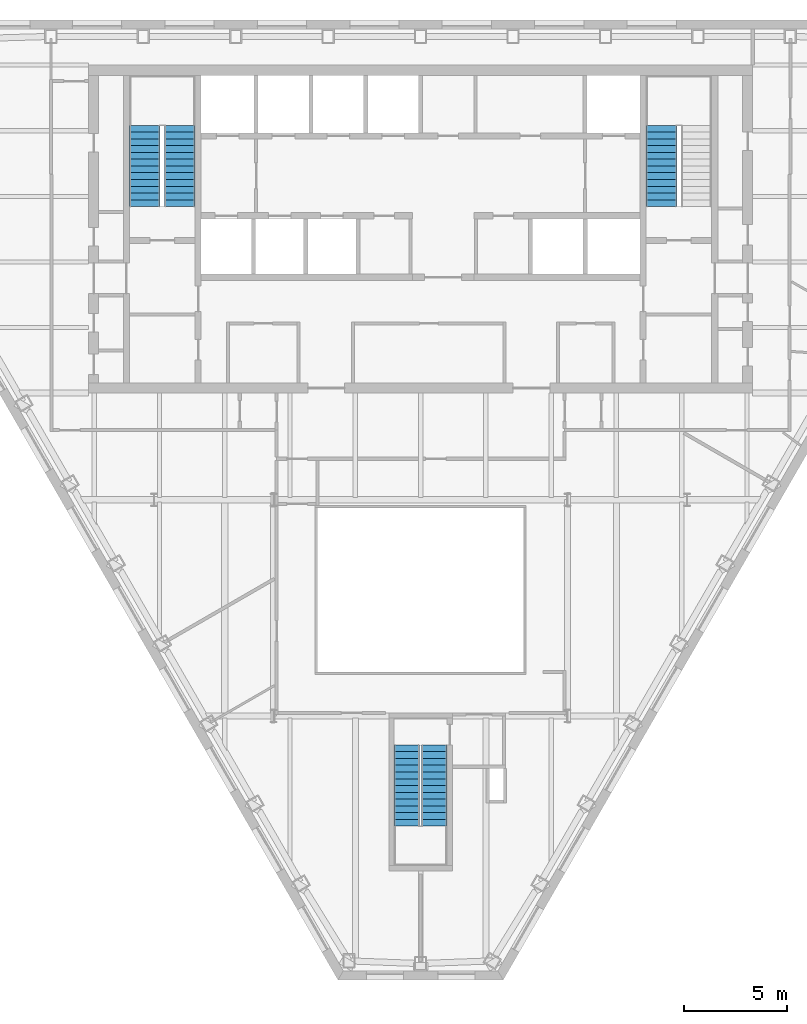
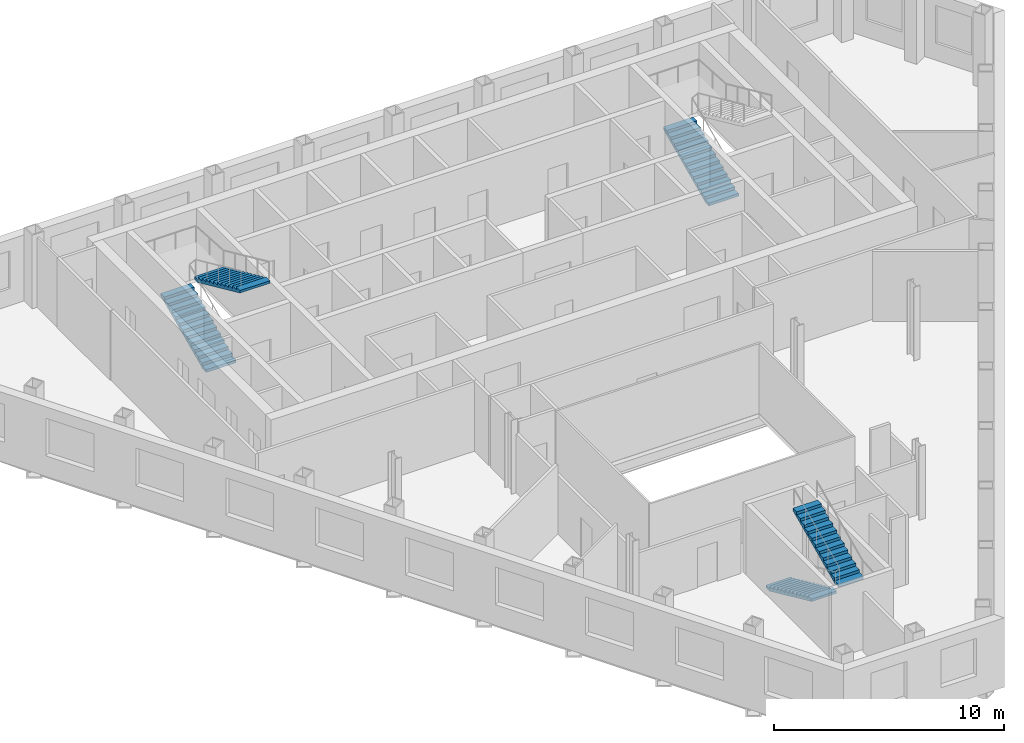
# One storey, part 9 of 11: 5 stair flights, 3 elements without a shape of their own.
"""IFC4 building model written with IfcOpenShell, lengths in metres."""

from ifc_helpers import new_model, si_unit, direction, frame, origin, place, context, subcontext, project, spatial, polygons, material, type_object, element, aggregate, save


model = new_model("IFC4")

# Units and contexts
model_context = context("Model", 3, precision=1e-05, world=origin(), true_north=direction((0.0, 1.0)))
body_context = subcontext(model_context, "Body", "Model", "MODEL_VIEW")
ifc_project = project(units=[si_unit("LENGTHUNIT", "METRE"), si_unit("AREAUNIT", "SQUARE_METRE"), si_unit("VOLUMEUNIT", "CUBIC_METRE"), si_unit("PLANEANGLEUNIT", "RADIAN"), si_unit("MASSUNIT", "GRAM", prefix="KILO")], contexts=[model_context])

# Site, building, storey
site_placement = place(None, origin())
site = spatial("IfcSite", under=ifc_project, at=site_placement, CompositionType="ELEMENT")
building_placement = place(site_placement, origin())
building = spatial("IfcBuilding", under=site, at=building_placement, Name="Njiva Tower", CompositionType="ELEMENT")
storey_placement = place(building_placement, frame((0.0, 0.0, 174.9)))
storey = spatial("IfcBuildingStorey", under=building, at=storey_placement, Name="L38", CompositionType="ELEMENT", Elevation=174.9)

# Stair, stair flights
ifc_material = material(Name="Concrete C40/50", Category="concrete")
stair_type_1 = type_object("IfcStairType", Name="ST1 Exit stair 1250", PredefinedType="HALF_TURN_STAIR", material=ifc_material)
stair_1_placement = place(storey_placement, origin())
stair_1 = element("IfcStair", 1, at=stair_1_placement, inside=storey, type_object=stair_type_1, Name="Stair C", PredefinedType="HALF_TURN_STAIR")
stair_flight_type_1 = type_object("IfcStairFlightType", Name="FL1 Stair flight 1250", PredefinedType="STRAIGHT", material=ifc_material)
stair_flight_1_placement = place(storey_placement, frame((-0.675, -15.16, 0.0), z_axis=(0.0, 0.0, 1.0), x_axis=(0.0, -1.0, 0.0)))
stair_flight_1 = element("IfcStairFlight", 2, at=stair_flight_1_placement, type_object=stair_flight_type_1, Name="ST-C flight 1", NumberOfRisers=13, NumberOfTreads=12, PredefinedType="STRAIGHT", RiserHeight=0.15, TreadLength=0.33, context=body_context, shape_type="Tessellation", body=[
    polygons([(0.0, 0.625, 0.0), (0.0, 0.3125, 0.0), (0.0, 0.0, 0.0), (0.0, -0.3125, 0.0), (0.0, -0.625, 0.0), (0.0, 0.625, 0.15), (0.0, 0.3125, 0.15), (0.0, 0.0, 0.15), (0.0, -0.3125, 0.15), (0.0, -0.625, 0.15), (0.33, 0.625, 0.15), (0.33, 0.3125, 0.15), (0.33, 0.0, 0.15), (0.33, -0.3125, 0.15), (0.33, -0.625, 0.15), (0.33, 0.625, 0.3), (0.33, 0.3125, 0.3), (0.33, 0.0, 0.3), (0.33, -0.3125, 0.3), (0.33, -0.625, 0.3), (0.66, 0.625, 0.3), (0.66, 0.3125, 0.3), (0.66, 0.0, 0.3), (0.66, -0.3125, 0.3), (0.66, -0.625, 0.3), (0.66, 0.625, 0.45), (0.66, 0.3125, 0.45), (0.66, 0.0, 0.45), (0.66, -0.3125, 0.45), (0.66, -0.625, 0.45), (0.99, 0.625, 0.45), (0.99, 0.3125, 0.45), (0.99, 0.0, 0.45), (0.99, -0.3125, 0.45), (0.99, -0.625, 0.45), (0.99, 0.625, 0.6), (0.99, 0.3125, 0.6), (0.99, 0.0, 0.6), (0.99, -0.3125, 0.6), (0.99, -0.625, 0.6), (1.32, 0.625, 0.6), (1.32, 0.3125, 0.6), (1.32, 0.0, 0.6), (1.32, -0.3125, 0.6), (1.32, -0.625, 0.6), (1.32, 0.625, 0.75), (1.32, 0.3125, 0.75), (1.32, 0.0, 0.75), (1.32, -0.3125, 0.75), (1.32, -0.625, 0.75), (1.65, 0.625, 0.75), (1.65, 0.3125, 0.75), (1.65, 0.0, 0.75), (1.65, -0.3125, 0.75), (1.65, -0.625, 0.75), (1.65, 0.625, 0.9), (1.65, 0.3125, 0.9), (1.65, 0.0, 0.9), (1.65, -0.3125, 0.9), (1.65, -0.625, 0.9), (1.98, 0.625, 0.9), (1.98, 0.3125, 0.9), (1.98, 0.0, 0.9), (1.98, -0.3125, 0.9), (1.98, -0.625, 0.9), (1.98, 0.625, 1.05), (1.98, 0.3125, 1.05), (1.98, 0.0, 1.05), (1.98, -0.3125, 1.05), (1.98, -0.625, 1.05), (2.31, 0.625, 1.05), (2.31, 0.3125, 1.05), (2.31, 0.0, 1.05), (2.31, -0.3125, 1.05), (2.31, -0.625, 1.05), (2.31, 0.625, 1.2), (2.31, 0.3125, 1.2), (2.31, 0.0, 1.2), (2.31, -0.3125, 1.2), (2.31, -0.625, 1.2), (2.64, 0.625, 1.2), (2.64, 0.3125, 1.2), (2.64, 0.0, 1.2), (2.64, -0.3125, 1.2), (2.64, -0.625, 1.2), (2.64, 0.625, 1.35), (2.64, 0.3125, 1.35), (2.64, 0.0, 1.35), (2.64, -0.3125, 1.35), (2.64, -0.625, 1.35), (2.97, 0.625, 1.35), (2.97, 0.3125, 1.35), (2.97, 0.0, 1.35), (2.97, -0.3125, 1.35), (2.97, -0.625, 1.35), (2.97, 0.625, 1.5), (2.97, 0.3125, 1.5), (2.97, 0.0, 1.5), (2.97, -0.3125, 1.5), (2.97, -0.625, 1.5), (3.3, 0.625, 1.5), (3.3, 0.3125, 1.5), (3.3, 0.0, 1.5), (3.3, -0.3125, 1.5), (3.3, -0.625, 1.5), (3.3, 0.625, 1.65), (3.3, 0.3125, 1.65), (3.3, 0.0, 1.65), (3.3, -0.3125, 1.65), (3.3, -0.625, 1.65), (3.63, 0.625, 1.65), (3.63, 0.3125, 1.65), (3.63, 0.0, 1.65), (3.63, -0.3125, 1.65), (3.63, -0.625, 1.65), (3.63, 0.625, 1.8), (3.63, 0.3125, 1.8), (3.63, 0.0, 1.8), (3.63, -0.3125, 1.8), (3.63, -0.625, 1.8), (3.96, 0.625, 1.8), (3.96, 0.3125, 1.8), (3.96, 0.0, 1.8), (3.96, -0.3125, 1.8), (3.96, -0.625, 1.8), (3.96, 0.625, 1.6682), (3.96, 0.3125, 1.6682), (3.96, 0.0, 1.6682), (3.96, -0.3125, 1.6682), (3.96, -0.625, 1.6682), (0.29, 0.625, 0.0), (0.29, 0.3125, 0.0), (0.29, 0.0, 0.0), (0.29, -0.3125, 0.0), (0.29, -0.625, 0.0)], [[[1, 6, 11, 16, 21, 26, 31, 36, 41, 46, 51, 56, 61, 66, 71, 76, 81, 86, 91, 96, 101, 106, 111, 116, 121, 126, 131]], [[135, 130, 125, 120, 115, 110, 105, 100, 95, 90, 85, 80, 75, 70, 65, 60, 55, 50, 45, 40, 35, 30, 25, 20, 15, 10, 5]], [[6, 1, 2, 7]], [[7, 2, 3, 8]], [[8, 3, 4, 9]], [[9, 4, 5, 10]], [[11, 6, 7, 12]], [[12, 7, 8, 13]], [[13, 8, 9, 14]], [[14, 9, 10, 15]], [[16, 11, 12, 17]], [[17, 12, 13, 18]], [[18, 13, 14, 19]], [[19, 14, 15, 20]], [[21, 16, 17, 22]], [[22, 17, 18, 23]], [[23, 18, 19, 24]], [[24, 19, 20, 25]], [[26, 21, 22, 27]], [[27, 22, 23, 28]], [[28, 23, 24, 29]], [[29, 24, 25, 30]], [[31, 26, 27, 32]], [[32, 27, 28, 33]], [[33, 28, 29, 34]], [[34, 29, 30, 35]], [[36, 31, 32, 37]], [[37, 32, 33, 38]], [[38, 33, 34, 39]], [[39, 34, 35, 40]], [[41, 36, 37, 42]], [[42, 37, 38, 43]], [[43, 38, 39, 44]], [[44, 39, 40, 45]], [[46, 41, 42, 47]], [[47, 42, 43, 48]], [[48, 43, 44, 49]], [[49, 44, 45, 50]], [[51, 46, 47, 52]], [[52, 47, 48, 53]], [[53, 48, 49, 54]], [[54, 49, 50, 55]], [[56, 51, 52, 57]], [[57, 52, 53, 58]], [[58, 53, 54, 59]], [[59, 54, 55, 60]], [[61, 56, 57, 62]], [[62, 57, 58, 63]], [[63, 58, 59, 64]], [[64, 59, 60, 65]], [[66, 61, 62, 67]], [[67, 62, 63, 68]], [[68, 63, 64, 69]], [[69, 64, 65, 70]], [[71, 66, 67, 72]], [[72, 67, 68, 73]], [[73, 68, 69, 74]], [[74, 69, 70, 75]], [[76, 71, 72, 77]], [[77, 72, 73, 78]], [[78, 73, 74, 79]], [[79, 74, 75, 80]], [[81, 76, 77, 82]], [[82, 77, 78, 83]], [[83, 78, 79, 84]], [[84, 79, 80, 85]], [[86, 81, 82, 87]], [[87, 82, 83, 88]], [[88, 83, 84, 89]], [[89, 84, 85, 90]], [[91, 86, 87, 92]], [[92, 87, 88, 93]], [[93, 88, 89, 94]], [[94, 89, 90, 95]], [[96, 91, 92, 97]], [[97, 92, 93, 98]], [[98, 93, 94, 99]], [[99, 94, 95, 100]], [[101, 96, 97, 102]], [[102, 97, 98, 103]], [[103, 98, 99, 104]], [[104, 99, 100, 105]], [[106, 101, 102, 107]], [[107, 102, 103, 108]], [[108, 103, 104, 109]], [[109, 104, 105, 110]], [[111, 106, 107, 112]], [[112, 107, 108, 113]], [[113, 108, 109, 114]], [[114, 109, 110, 115]], [[116, 111, 112, 117]], [[117, 112, 113, 118]], [[118, 113, 114, 119]], [[119, 114, 115, 120]], [[121, 116, 117, 122]], [[122, 117, 118, 123]], [[123, 118, 119, 124]], [[124, 119, 120, 125]], [[126, 121, 122, 127]], [[127, 122, 123, 128]], [[128, 123, 124, 129]], [[129, 124, 125, 130]], [[131, 126, 127, 132]], [[132, 127, 128, 133]], [[133, 128, 129, 134]], [[134, 129, 130, 135]], [[1, 131, 132, 2]], [[2, 132, 133, 3]], [[3, 133, 134, 4]], [[4, 134, 135, 5]]], closed=True),
])
stair_flight_2_placement = place(storey_placement, frame((0.675, -19.12, 1.95), z_axis=(0.0, 0.0, 1.0), x_axis=(0.0, 1.0, 0.0)))
stair_flight_2 = element("IfcStairFlight", 3, at=stair_flight_2_placement, type_object=stair_flight_type_1, Name="ST-C flight 2", NumberOfRisers=13, NumberOfTreads=12, PredefinedType="STRAIGHT", RiserHeight=0.15, TreadLength=0.33, context=body_context, shape_type="Tessellation", body=[
    polygons([(0.0, 0.625, 0.0), (0.0, 0.3125, 0.0), (0.0, 0.0, 0.0), (0.0, -0.3125, 0.0), (0.0, -0.625, 0.0), (0.0, 0.625, 0.15), (0.0, 0.3125, 0.15), (0.0, 0.0, 0.15), (0.0, -0.3125, 0.15), (0.0, -0.625, 0.15), (0.33, 0.625, 0.15), (0.33, 0.3125, 0.15), (0.33, 0.0, 0.15), (0.33, -0.3125, 0.15), (0.33, -0.625, 0.15), (0.33, 0.625, 0.3), (0.33, 0.3125, 0.3), (0.33, 0.0, 0.3), (0.33, -0.3125, 0.3), (0.33, -0.625, 0.3), (0.66, 0.625, 0.3), (0.66, 0.3125, 0.3), (0.66, 0.0, 0.3), (0.66, -0.3125, 0.3), (0.66, -0.625, 0.3), (0.66, 0.625, 0.45), (0.66, 0.3125, 0.45), (0.66, 0.0, 0.45), (0.66, -0.3125, 0.45), (0.66, -0.625, 0.45), (0.99, 0.625, 0.45), (0.99, 0.3125, 0.45), (0.99, 0.0, 0.45), (0.99, -0.3125, 0.45), (0.99, -0.625, 0.45), (0.99, 0.625, 0.6), (0.99, 0.3125, 0.6), (0.99, 0.0, 0.6), (0.99, -0.3125, 0.6), (0.99, -0.625, 0.6), (1.32, 0.625, 0.6), (1.32, 0.3125, 0.6), (1.32, 0.0, 0.6), (1.32, -0.3125, 0.6), (1.32, -0.625, 0.6), (1.32, 0.625, 0.75), (1.32, 0.3125, 0.75), (1.32, 0.0, 0.75), (1.32, -0.3125, 0.75), (1.32, -0.625, 0.75), (1.65, 0.625, 0.75), (1.65, 0.3125, 0.75), (1.65, 0.0, 0.75), (1.65, -0.3125, 0.75), (1.65, -0.625, 0.75), (1.65, 0.625, 0.9), (1.65, 0.3125, 0.9), (1.65, 0.0, 0.9), (1.65, -0.3125, 0.9), (1.65, -0.625, 0.9), (1.98, 0.625, 0.9), (1.98, 0.3125, 0.9), (1.98, 0.0, 0.9), (1.98, -0.3125, 0.9), (1.98, -0.625, 0.9), (1.98, 0.625, 1.05), (1.98, 0.3125, 1.05), (1.98, 0.0, 1.05), (1.98, -0.3125, 1.05), (1.98, -0.625, 1.05), (2.31, 0.625, 1.05), (2.31, 0.3125, 1.05), (2.31, 0.0, 1.05), (2.31, -0.3125, 1.05), (2.31, -0.625, 1.05), (2.31, 0.625, 1.2), (2.31, 0.3125, 1.2), (2.31, 0.0, 1.2), (2.31, -0.3125, 1.2), (2.31, -0.625, 1.2), (2.64, 0.625, 1.2), (2.64, 0.3125, 1.2), (2.64, 0.0, 1.2), (2.64, -0.3125, 1.2), (2.64, -0.625, 1.2), (2.64, 0.625, 1.35), (2.64, 0.3125, 1.35), (2.64, 0.0, 1.35), (2.64, -0.3125, 1.35), (2.64, -0.625, 1.35), (2.97, 0.625, 1.35), (2.97, 0.3125, 1.35), (2.97, 0.0, 1.35), (2.97, -0.3125, 1.35), (2.97, -0.625, 1.35), (2.97, 0.625, 1.5), (2.97, 0.3125, 1.5), (2.97, 0.0, 1.5), (2.97, -0.3125, 1.5), (2.97, -0.625, 1.5), (3.3, 0.625, 1.5), (3.3, 0.3125, 1.5), (3.3, 0.0, 1.5), (3.3, -0.3125, 1.5), (3.3, -0.625, 1.5), (3.3, 0.625, 1.65), (3.3, 0.3125, 1.65), (3.3, 0.0, 1.65), (3.3, -0.3125, 1.65), (3.3, -0.625, 1.65), (3.63, 0.625, 1.65), (3.63, 0.3125, 1.65), (3.63, 0.0, 1.65), (3.63, -0.3125, 1.65), (3.63, -0.625, 1.65), (3.63, 0.625, 1.8), (3.63, 0.3125, 1.8), (3.63, 0.0, 1.8), (3.63, -0.3125, 1.8), (3.63, -0.625, 1.8), (3.96, 0.625, 1.8), (3.96, 0.3125, 1.8), (3.96, 0.0, 1.8), (3.96, -0.3125, 1.8), (3.96, -0.625, 1.8), (3.96, 0.625, 1.6682), (3.96, 0.3125, 1.6682), (3.96, 0.0, 1.6682), (3.96, -0.3125, 1.6682), (3.96, -0.625, 1.6682), (0.29, 0.625, 0.0), (0.29, 0.3125, 0.0), (0.29, 0.0, 0.0), (0.29, -0.3125, 0.0), (0.29, -0.625, 0.0)], [[[1, 6, 11, 16, 21, 26, 31, 36, 41, 46, 51, 56, 61, 66, 71, 76, 81, 86, 91, 96, 101, 106, 111, 116, 121, 126, 131]], [[135, 130, 125, 120, 115, 110, 105, 100, 95, 90, 85, 80, 75, 70, 65, 60, 55, 50, 45, 40, 35, 30, 25, 20, 15, 10, 5]], [[6, 1, 2, 7]], [[7, 2, 3, 8]], [[8, 3, 4, 9]], [[9, 4, 5, 10]], [[11, 6, 7, 12]], [[12, 7, 8, 13]], [[13, 8, 9, 14]], [[14, 9, 10, 15]], [[16, 11, 12, 17]], [[17, 12, 13, 18]], [[18, 13, 14, 19]], [[19, 14, 15, 20]], [[21, 16, 17, 22]], [[22, 17, 18, 23]], [[23, 18, 19, 24]], [[24, 19, 20, 25]], [[26, 21, 22, 27]], [[27, 22, 23, 28]], [[28, 23, 24, 29]], [[29, 24, 25, 30]], [[31, 26, 27, 32]], [[32, 27, 28, 33]], [[33, 28, 29, 34]], [[34, 29, 30, 35]], [[36, 31, 32, 37]], [[37, 32, 33, 38]], [[38, 33, 34, 39]], [[39, 34, 35, 40]], [[41, 36, 37, 42]], [[42, 37, 38, 43]], [[43, 38, 39, 44]], [[44, 39, 40, 45]], [[46, 41, 42, 47]], [[47, 42, 43, 48]], [[48, 43, 44, 49]], [[49, 44, 45, 50]], [[51, 46, 47, 52]], [[52, 47, 48, 53]], [[53, 48, 49, 54]], [[54, 49, 50, 55]], [[56, 51, 52, 57]], [[57, 52, 53, 58]], [[58, 53, 54, 59]], [[59, 54, 55, 60]], [[61, 56, 57, 62]], [[62, 57, 58, 63]], [[63, 58, 59, 64]], [[64, 59, 60, 65]], [[66, 61, 62, 67]], [[67, 62, 63, 68]], [[68, 63, 64, 69]], [[69, 64, 65, 70]], [[71, 66, 67, 72]], [[72, 67, 68, 73]], [[73, 68, 69, 74]], [[74, 69, 70, 75]], [[76, 71, 72, 77]], [[77, 72, 73, 78]], [[78, 73, 74, 79]], [[79, 74, 75, 80]], [[81, 76, 77, 82]], [[82, 77, 78, 83]], [[83, 78, 79, 84]], [[84, 79, 80, 85]], [[86, 81, 82, 87]], [[87, 82, 83, 88]], [[88, 83, 84, 89]], [[89, 84, 85, 90]], [[91, 86, 87, 92]], [[92, 87, 88, 93]], [[93, 88, 89, 94]], [[94, 89, 90, 95]], [[96, 91, 92, 97]], [[97, 92, 93, 98]], [[98, 93, 94, 99]], [[99, 94, 95, 100]], [[101, 96, 97, 102]], [[102, 97, 98, 103]], [[103, 98, 99, 104]], [[104, 99, 100, 105]], [[106, 101, 102, 107]], [[107, 102, 103, 108]], [[108, 103, 104, 109]], [[109, 104, 105, 110]], [[111, 106, 107, 112]], [[112, 107, 108, 113]], [[113, 108, 109, 114]], [[114, 109, 110, 115]], [[116, 111, 112, 117]], [[117, 112, 113, 118]], [[118, 113, 114, 119]], [[119, 114, 115, 120]], [[121, 116, 117, 122]], [[122, 117, 118, 123]], [[123, 118, 119, 124]], [[124, 119, 120, 125]], [[126, 121, 122, 127]], [[127, 122, 123, 128]], [[128, 123, 124, 129]], [[129, 124, 125, 130]], [[131, 126, 127, 132]], [[132, 127, 128, 133]], [[133, 128, 129, 134]], [[134, 129, 130, 135]], [[1, 131, 132, 2]], [[2, 132, 133, 3]], [[3, 133, 134, 4]], [[4, 134, 135, 5]]], closed=True),
])
aggregate(stair_1, [stair_flight_1, stair_flight_2])

stair_type_2 = type_object("IfcStairType", Name="ST4 Exit stair 1500", PredefinedType="HALF_TURN_STAIR", material=ifc_material)
stair_2_placement = place(storey_placement, origin())
stair_2 = element("IfcStair", 4, at=stair_2_placement, inside=storey, type_object=stair_type_2, Name="Stair A", PredefinedType="HALF_TURN_STAIR")
stair_flight_type_2 = type_object("IfcStairFlightType", Name="FL4 Stair flight 1500", PredefinedType="STRAIGHT", material=ifc_material)
stair_flight_3_placement = place(storey_placement, frame((-13.45, 11.1, 0.0), z_axis=(0.0, 0.0, 1.0), x_axis=(0.0, 1.0, 0.0)))
stair_flight_3 = element("IfcStairFlight", 5, at=stair_flight_3_placement, type_object=stair_flight_type_2, Name="ST-A flight 1", NumberOfRisers=13, NumberOfTreads=12, PredefinedType="STRAIGHT", RiserHeight=0.15, TreadLength=0.33, context=body_context, shape_type="Tessellation", body=[
    polygons([(0.0, 0.75, 0.0), (0.0, 0.375, 0.0), (0.0, 0.0, 0.0), (0.0, -0.375, 0.0), (0.0, -0.75, 0.0), (0.0, 0.75, 0.15), (0.0, 0.375, 0.15), (0.0, 0.0, 0.15), (0.0, -0.375, 0.15), (0.0, -0.75, 0.15), (0.33, 0.75, 0.15), (0.33, 0.375, 0.15), (0.33, 0.0, 0.15), (0.33, -0.375, 0.15), (0.33, -0.75, 0.15), (0.33, 0.75, 0.3), (0.33, 0.375, 0.3), (0.33, 0.0, 0.3), (0.33, -0.375, 0.3), (0.33, -0.75, 0.3), (0.66, 0.75, 0.3), (0.66, 0.375, 0.3), (0.66, 0.0, 0.3), (0.66, -0.375, 0.3), (0.66, -0.75, 0.3), (0.66, 0.75, 0.45), (0.66, 0.375, 0.45), (0.66, 0.0, 0.45), (0.66, -0.375, 0.45), (0.66, -0.75, 0.45), (0.99, 0.75, 0.45), (0.99, 0.375, 0.45), (0.99, 0.0, 0.45), (0.99, -0.375, 0.45), (0.99, -0.75, 0.45), (0.99, 0.75, 0.6), (0.99, 0.375, 0.6), (0.99, 0.0, 0.6), (0.99, -0.375, 0.6), (0.99, -0.75, 0.6), (1.32, 0.75, 0.6), (1.32, 0.375, 0.6), (1.32, 0.0, 0.6), (1.32, -0.375, 0.6), (1.32, -0.75, 0.6), (1.32, 0.75, 0.75), (1.32, 0.375, 0.75), (1.32, 0.0, 0.75), (1.32, -0.375, 0.75), (1.32, -0.75, 0.75), (1.65, 0.75, 0.75), (1.65, 0.375, 0.75), (1.65, 0.0, 0.75), (1.65, -0.375, 0.75), (1.65, -0.75, 0.75), (1.65, 0.75, 0.9), (1.65, 0.375, 0.9), (1.65, 0.0, 0.9), (1.65, -0.375, 0.9), (1.65, -0.75, 0.9), (1.98, 0.75, 0.9), (1.98, 0.375, 0.9), (1.98, 0.0, 0.9), (1.98, -0.375, 0.9), (1.98, -0.75, 0.9), (1.98, 0.75, 1.05), (1.98, 0.375, 1.05), (1.98, 0.0, 1.05), (1.98, -0.375, 1.05), (1.98, -0.75, 1.05), (2.31, 0.75, 1.05), (2.31, 0.375, 1.05), (2.31, 0.0, 1.05), (2.31, -0.375, 1.05), (2.31, -0.75, 1.05), (2.31, 0.75, 1.2), (2.31, 0.375, 1.2), (2.31, 0.0, 1.2), (2.31, -0.375, 1.2), (2.31, -0.75, 1.2), (2.64, 0.75, 1.2), (2.64, 0.375, 1.2), (2.64, 0.0, 1.2), (2.64, -0.375, 1.2), (2.64, -0.75, 1.2), (2.64, 0.75, 1.35), (2.64, 0.375, 1.35), (2.64, 0.0, 1.35), (2.64, -0.375, 1.35), (2.64, -0.75, 1.35), (2.97, 0.75, 1.35), (2.97, 0.375, 1.35), (2.97, 0.0, 1.35), (2.97, -0.375, 1.35), (2.97, -0.75, 1.35), (2.97, 0.75, 1.5), (2.97, 0.375, 1.5), (2.97, 0.0, 1.5), (2.97, -0.375, 1.5), (2.97, -0.75, 1.5), (3.3, 0.75, 1.5), (3.3, 0.375, 1.5), (3.3, 0.0, 1.5), (3.3, -0.375, 1.5), (3.3, -0.75, 1.5), (3.3, 0.75, 1.65), (3.3, 0.375, 1.65), (3.3, 0.0, 1.65), (3.3, -0.375, 1.65), (3.3, -0.75, 1.65), (3.63, 0.75, 1.65), (3.63, 0.375, 1.65), (3.63, 0.0, 1.65), (3.63, -0.375, 1.65), (3.63, -0.75, 1.65), (3.63, 0.75, 1.8), (3.63, 0.375, 1.8), (3.63, 0.0, 1.8), (3.63, -0.375, 1.8), (3.63, -0.75, 1.8), (3.96, 0.75, 1.8), (3.96, 0.375, 1.8), (3.96, 0.0, 1.8), (3.96, -0.375, 1.8), (3.96, -0.75, 1.8), (3.96, 0.75, 1.6682), (3.96, 0.375, 1.6682), (3.96, 0.0, 1.6682), (3.96, -0.375, 1.6682), (3.96, -0.75, 1.6682), (0.29, 0.75, 0.0), (0.29, 0.375, 0.0), (0.29, 0.0, 0.0), (0.29, -0.375, 0.0), (0.29, -0.75, 0.0)], [[[1, 6, 11, 16, 21, 26, 31, 36, 41, 46, 51, 56, 61, 66, 71, 76, 81, 86, 91, 96, 101, 106, 111, 116, 121, 126, 131]], [[135, 130, 125, 120, 115, 110, 105, 100, 95, 90, 85, 80, 75, 70, 65, 60, 55, 50, 45, 40, 35, 30, 25, 20, 15, 10, 5]], [[6, 1, 2, 7]], [[7, 2, 3, 8]], [[8, 3, 4, 9]], [[9, 4, 5, 10]], [[11, 6, 7, 12]], [[12, 7, 8, 13]], [[13, 8, 9, 14]], [[14, 9, 10, 15]], [[16, 11, 12, 17]], [[17, 12, 13, 18]], [[18, 13, 14, 19]], [[19, 14, 15, 20]], [[21, 16, 17, 22]], [[22, 17, 18, 23]], [[23, 18, 19, 24]], [[24, 19, 20, 25]], [[26, 21, 22, 27]], [[27, 22, 23, 28]], [[28, 23, 24, 29]], [[29, 24, 25, 30]], [[31, 26, 27, 32]], [[32, 27, 28, 33]], [[33, 28, 29, 34]], [[34, 29, 30, 35]], [[36, 31, 32, 37]], [[37, 32, 33, 38]], [[38, 33, 34, 39]], [[39, 34, 35, 40]], [[41, 36, 37, 42]], [[42, 37, 38, 43]], [[43, 38, 39, 44]], [[44, 39, 40, 45]], [[46, 41, 42, 47]], [[47, 42, 43, 48]], [[48, 43, 44, 49]], [[49, 44, 45, 50]], [[51, 46, 47, 52]], [[52, 47, 48, 53]], [[53, 48, 49, 54]], [[54, 49, 50, 55]], [[56, 51, 52, 57]], [[57, 52, 53, 58]], [[58, 53, 54, 59]], [[59, 54, 55, 60]], [[61, 56, 57, 62]], [[62, 57, 58, 63]], [[63, 58, 59, 64]], [[64, 59, 60, 65]], [[66, 61, 62, 67]], [[67, 62, 63, 68]], [[68, 63, 64, 69]], [[69, 64, 65, 70]], [[71, 66, 67, 72]], [[72, 67, 68, 73]], [[73, 68, 69, 74]], [[74, 69, 70, 75]], [[76, 71, 72, 77]], [[77, 72, 73, 78]], [[78, 73, 74, 79]], [[79, 74, 75, 80]], [[81, 76, 77, 82]], [[82, 77, 78, 83]], [[83, 78, 79, 84]], [[84, 79, 80, 85]], [[86, 81, 82, 87]], [[87, 82, 83, 88]], [[88, 83, 84, 89]], [[89, 84, 85, 90]], [[91, 86, 87, 92]], [[92, 87, 88, 93]], [[93, 88, 89, 94]], [[94, 89, 90, 95]], [[96, 91, 92, 97]], [[97, 92, 93, 98]], [[98, 93, 94, 99]], [[99, 94, 95, 100]], [[101, 96, 97, 102]], [[102, 97, 98, 103]], [[103, 98, 99, 104]], [[104, 99, 100, 105]], [[106, 101, 102, 107]], [[107, 102, 103, 108]], [[108, 103, 104, 109]], [[109, 104, 105, 110]], [[111, 106, 107, 112]], [[112, 107, 108, 113]], [[113, 108, 109, 114]], [[114, 109, 110, 115]], [[116, 111, 112, 117]], [[117, 112, 113, 118]], [[118, 113, 114, 119]], [[119, 114, 115, 120]], [[121, 116, 117, 122]], [[122, 117, 118, 123]], [[123, 118, 119, 124]], [[124, 119, 120, 125]], [[126, 121, 122, 127]], [[127, 122, 123, 128]], [[128, 123, 124, 129]], [[129, 124, 125, 130]], [[131, 126, 127, 132]], [[132, 127, 128, 133]], [[133, 128, 129, 134]], [[134, 129, 130, 135]], [[1, 131, 132, 2]], [[2, 132, 133, 3]], [[3, 133, 134, 4]], [[4, 134, 135, 5]]], closed=True),
])
stair_flight_4_placement = place(storey_placement, frame((-11.75, 15.06, 1.95), z_axis=(0.0, 0.0, 1.0), x_axis=(0.0, -1.0, 0.0)))
stair_flight_4 = element("IfcStairFlight", 6, at=stair_flight_4_placement, type_object=stair_flight_type_2, Name="ST-A flight 2", NumberOfRisers=13, NumberOfTreads=12, PredefinedType="STRAIGHT", RiserHeight=0.15, TreadLength=0.33, context=body_context, shape_type="Tessellation", body=[
    polygons([(0.0, 0.75, 0.0), (0.0, 0.375, 0.0), (0.0, 0.0, 0.0), (0.0, -0.375, 0.0), (0.0, -0.75, 0.0), (0.0, 0.75, 0.15), (0.0, 0.375, 0.15), (0.0, 0.0, 0.15), (0.0, -0.375, 0.15), (0.0, -0.75, 0.15), (0.33, 0.75, 0.15), (0.33, 0.375, 0.15), (0.33, 0.0, 0.15), (0.33, -0.375, 0.15), (0.33, -0.75, 0.15), (0.33, 0.75, 0.3), (0.33, 0.375, 0.3), (0.33, 0.0, 0.3), (0.33, -0.375, 0.3), (0.33, -0.75, 0.3), (0.66, 0.75, 0.3), (0.66, 0.375, 0.3), (0.66, 0.0, 0.3), (0.66, -0.375, 0.3), (0.66, -0.75, 0.3), (0.66, 0.75, 0.45), (0.66, 0.375, 0.45), (0.66, 0.0, 0.45), (0.66, -0.375, 0.45), (0.66, -0.75, 0.45), (0.99, 0.75, 0.45), (0.99, 0.375, 0.45), (0.99, 0.0, 0.45), (0.99, -0.375, 0.45), (0.99, -0.75, 0.45), (0.99, 0.75, 0.6), (0.99, 0.375, 0.6), (0.99, 0.0, 0.6), (0.99, -0.375, 0.6), (0.99, -0.75, 0.6), (1.32, 0.75, 0.6), (1.32, 0.375, 0.6), (1.32, 0.0, 0.6), (1.32, -0.375, 0.6), (1.32, -0.75, 0.6), (1.32, 0.75, 0.75), (1.32, 0.375, 0.75), (1.32, 0.0, 0.75), (1.32, -0.375, 0.75), (1.32, -0.75, 0.75), (1.65, 0.75, 0.75), (1.65, 0.375, 0.75), (1.65, 0.0, 0.75), (1.65, -0.375, 0.75), (1.65, -0.75, 0.75), (1.65, 0.75, 0.9), (1.65, 0.375, 0.9), (1.65, 0.0, 0.9), (1.65, -0.375, 0.9), (1.65, -0.75, 0.9), (1.98, 0.75, 0.9), (1.98, 0.375, 0.9), (1.98, 0.0, 0.9), (1.98, -0.375, 0.9), (1.98, -0.75, 0.9), (1.98, 0.75, 1.05), (1.98, 0.375, 1.05), (1.98, 0.0, 1.05), (1.98, -0.375, 1.05), (1.98, -0.75, 1.05), (2.31, 0.75, 1.05), (2.31, 0.375, 1.05), (2.31, 0.0, 1.05), (2.31, -0.375, 1.05), (2.31, -0.75, 1.05), (2.31, 0.75, 1.2), (2.31, 0.375, 1.2), (2.31, 0.0, 1.2), (2.31, -0.375, 1.2), (2.31, -0.75, 1.2), (2.64, 0.75, 1.2), (2.64, 0.375, 1.2), (2.64, 0.0, 1.2), (2.64, -0.375, 1.2), (2.64, -0.75, 1.2), (2.64, 0.75, 1.35), (2.64, 0.375, 1.35), (2.64, 0.0, 1.35), (2.64, -0.375, 1.35), (2.64, -0.75, 1.35), (2.97, 0.75, 1.35), (2.97, 0.375, 1.35), (2.97, 0.0, 1.35), (2.97, -0.375, 1.35), (2.97, -0.75, 1.35), (2.97, 0.75, 1.5), (2.97, 0.375, 1.5), (2.97, 0.0, 1.5), (2.97, -0.375, 1.5), (2.97, -0.75, 1.5), (3.3, 0.75, 1.5), (3.3, 0.375, 1.5), (3.3, 0.0, 1.5), (3.3, -0.375, 1.5), (3.3, -0.75, 1.5), (3.3, 0.75, 1.65), (3.3, 0.375, 1.65), (3.3, 0.0, 1.65), (3.3, -0.375, 1.65), (3.3, -0.75, 1.65), (3.63, 0.75, 1.65), (3.63, 0.375, 1.65), (3.63, 0.0, 1.65), (3.63, -0.375, 1.65), (3.63, -0.75, 1.65), (3.63, 0.75, 1.8), (3.63, 0.375, 1.8), (3.63, 0.0, 1.8), (3.63, -0.375, 1.8), (3.63, -0.75, 1.8), (3.96, 0.75, 1.8), (3.96, 0.375, 1.8), (3.96, 0.0, 1.8), (3.96, -0.375, 1.8), (3.96, -0.75, 1.8), (3.96, 0.75, 1.6682), (3.96, 0.375, 1.6682), (3.96, 0.0, 1.6682), (3.96, -0.375, 1.6682), (3.96, -0.75, 1.6682), (0.29, 0.75, 0.0), (0.29, 0.375, 0.0), (0.29, 0.0, 0.0), (0.29, -0.375, 0.0), (0.29, -0.75, 0.0)], [[[1, 6, 11, 16, 21, 26, 31, 36, 41, 46, 51, 56, 61, 66, 71, 76, 81, 86, 91, 96, 101, 106, 111, 116, 121, 126, 131]], [[135, 130, 125, 120, 115, 110, 105, 100, 95, 90, 85, 80, 75, 70, 65, 60, 55, 50, 45, 40, 35, 30, 25, 20, 15, 10, 5]], [[6, 1, 2, 7]], [[7, 2, 3, 8]], [[8, 3, 4, 9]], [[9, 4, 5, 10]], [[11, 6, 7, 12]], [[12, 7, 8, 13]], [[13, 8, 9, 14]], [[14, 9, 10, 15]], [[16, 11, 12, 17]], [[17, 12, 13, 18]], [[18, 13, 14, 19]], [[19, 14, 15, 20]], [[21, 16, 17, 22]], [[22, 17, 18, 23]], [[23, 18, 19, 24]], [[24, 19, 20, 25]], [[26, 21, 22, 27]], [[27, 22, 23, 28]], [[28, 23, 24, 29]], [[29, 24, 25, 30]], [[31, 26, 27, 32]], [[32, 27, 28, 33]], [[33, 28, 29, 34]], [[34, 29, 30, 35]], [[36, 31, 32, 37]], [[37, 32, 33, 38]], [[38, 33, 34, 39]], [[39, 34, 35, 40]], [[41, 36, 37, 42]], [[42, 37, 38, 43]], [[43, 38, 39, 44]], [[44, 39, 40, 45]], [[46, 41, 42, 47]], [[47, 42, 43, 48]], [[48, 43, 44, 49]], [[49, 44, 45, 50]], [[51, 46, 47, 52]], [[52, 47, 48, 53]], [[53, 48, 49, 54]], [[54, 49, 50, 55]], [[56, 51, 52, 57]], [[57, 52, 53, 58]], [[58, 53, 54, 59]], [[59, 54, 55, 60]], [[61, 56, 57, 62]], [[62, 57, 58, 63]], [[63, 58, 59, 64]], [[64, 59, 60, 65]], [[66, 61, 62, 67]], [[67, 62, 63, 68]], [[68, 63, 64, 69]], [[69, 64, 65, 70]], [[71, 66, 67, 72]], [[72, 67, 68, 73]], [[73, 68, 69, 74]], [[74, 69, 70, 75]], [[76, 71, 72, 77]], [[77, 72, 73, 78]], [[78, 73, 74, 79]], [[79, 74, 75, 80]], [[81, 76, 77, 82]], [[82, 77, 78, 83]], [[83, 78, 79, 84]], [[84, 79, 80, 85]], [[86, 81, 82, 87]], [[87, 82, 83, 88]], [[88, 83, 84, 89]], [[89, 84, 85, 90]], [[91, 86, 87, 92]], [[92, 87, 88, 93]], [[93, 88, 89, 94]], [[94, 89, 90, 95]], [[96, 91, 92, 97]], [[97, 92, 93, 98]], [[98, 93, 94, 99]], [[99, 94, 95, 100]], [[101, 96, 97, 102]], [[102, 97, 98, 103]], [[103, 98, 99, 104]], [[104, 99, 100, 105]], [[106, 101, 102, 107]], [[107, 102, 103, 108]], [[108, 103, 104, 109]], [[109, 104, 105, 110]], [[111, 106, 107, 112]], [[112, 107, 108, 113]], [[113, 108, 109, 114]], [[114, 109, 110, 115]], [[116, 111, 112, 117]], [[117, 112, 113, 118]], [[118, 113, 114, 119]], [[119, 114, 115, 120]], [[121, 116, 117, 122]], [[122, 117, 118, 123]], [[123, 118, 119, 124]], [[124, 119, 120, 125]], [[126, 121, 122, 127]], [[127, 122, 123, 128]], [[128, 123, 124, 129]], [[129, 124, 125, 130]], [[131, 126, 127, 132]], [[132, 127, 128, 133]], [[133, 128, 129, 134]], [[134, 129, 130, 135]], [[1, 131, 132, 2]], [[2, 132, 133, 3]], [[3, 133, 134, 4]], [[4, 134, 135, 5]]], closed=True),
])
aggregate(stair_2, [stair_flight_3, stair_flight_4])

# Stair, stair flight
stair_3_placement = place(storey_placement, origin())
stair_3 = element("IfcStair", 7, at=stair_3_placement, inside=storey, type_object=stair_type_2, Name="Stair B", PredefinedType="HALF_TURN_STAIR")
stair_flight_5_placement = place(storey_placement, frame((11.75, 11.1, 0.0), z_axis=(0.0, 0.0, 1.0), x_axis=(0.0, 1.0, 0.0)))
stair_flight_5 = element("IfcStairFlight", 8, at=stair_flight_5_placement, type_object=stair_flight_type_2, Name="ST-B flight 1", NumberOfRisers=13, NumberOfTreads=12, PredefinedType="STRAIGHT", RiserHeight=0.15, TreadLength=0.33, context=body_context, shape_type="Tessellation", body=[
    polygons([(0.0, 0.75, 0.0), (0.0, 0.375, 0.0), (0.0, 0.0, 0.0), (0.0, -0.375, 0.0), (0.0, -0.75, 0.0), (0.0, 0.75, 0.15), (0.0, 0.375, 0.15), (0.0, 0.0, 0.15), (0.0, -0.375, 0.15), (0.0, -0.75, 0.15), (0.33, 0.75, 0.15), (0.33, 0.375, 0.15), (0.33, 0.0, 0.15), (0.33, -0.375, 0.15), (0.33, -0.75, 0.15), (0.33, 0.75, 0.3), (0.33, 0.375, 0.3), (0.33, 0.0, 0.3), (0.33, -0.375, 0.3), (0.33, -0.75, 0.3), (0.66, 0.75, 0.3), (0.66, 0.375, 0.3), (0.66, 0.0, 0.3), (0.66, -0.375, 0.3), (0.66, -0.75, 0.3), (0.66, 0.75, 0.45), (0.66, 0.375, 0.45), (0.66, 0.0, 0.45), (0.66, -0.375, 0.45), (0.66, -0.75, 0.45), (0.99, 0.75, 0.45), (0.99, 0.375, 0.45), (0.99, 0.0, 0.45), (0.99, -0.375, 0.45), (0.99, -0.75, 0.45), (0.99, 0.75, 0.6), (0.99, 0.375, 0.6), (0.99, 0.0, 0.6), (0.99, -0.375, 0.6), (0.99, -0.75, 0.6), (1.32, 0.75, 0.6), (1.32, 0.375, 0.6), (1.32, 0.0, 0.6), (1.32, -0.375, 0.6), (1.32, -0.75, 0.6), (1.32, 0.75, 0.75), (1.32, 0.375, 0.75), (1.32, 0.0, 0.75), (1.32, -0.375, 0.75), (1.32, -0.75, 0.75), (1.65, 0.75, 0.75), (1.65, 0.375, 0.75), (1.65, 0.0, 0.75), (1.65, -0.375, 0.75), (1.65, -0.75, 0.75), (1.65, 0.75, 0.9), (1.65, 0.375, 0.9), (1.65, 0.0, 0.9), (1.65, -0.375, 0.9), (1.65, -0.75, 0.9), (1.98, 0.75, 0.9), (1.98, 0.375, 0.9), (1.98, 0.0, 0.9), (1.98, -0.375, 0.9), (1.98, -0.75, 0.9), (1.98, 0.75, 1.05), (1.98, 0.375, 1.05), (1.98, 0.0, 1.05), (1.98, -0.375, 1.05), (1.98, -0.75, 1.05), (2.31, 0.75, 1.05), (2.31, 0.375, 1.05), (2.31, 0.0, 1.05), (2.31, -0.375, 1.05), (2.31, -0.75, 1.05), (2.31, 0.75, 1.2), (2.31, 0.375, 1.2), (2.31, 0.0, 1.2), (2.31, -0.375, 1.2), (2.31, -0.75, 1.2), (2.64, 0.75, 1.2), (2.64, 0.375, 1.2), (2.64, 0.0, 1.2), (2.64, -0.375, 1.2), (2.64, -0.75, 1.2), (2.64, 0.75, 1.35), (2.64, 0.375, 1.35), (2.64, 0.0, 1.35), (2.64, -0.375, 1.35), (2.64, -0.75, 1.35), (2.97, 0.75, 1.35), (2.97, 0.375, 1.35), (2.97, 0.0, 1.35), (2.97, -0.375, 1.35), (2.97, -0.75, 1.35), (2.97, 0.75, 1.5), (2.97, 0.375, 1.5), (2.97, 0.0, 1.5), (2.97, -0.375, 1.5), (2.97, -0.75, 1.5), (3.3, 0.75, 1.5), (3.3, 0.375, 1.5), (3.3, 0.0, 1.5), (3.3, -0.375, 1.5), (3.3, -0.75, 1.5), (3.3, 0.75, 1.65), (3.3, 0.375, 1.65), (3.3, 0.0, 1.65), (3.3, -0.375, 1.65), (3.3, -0.75, 1.65), (3.63, 0.75, 1.65), (3.63, 0.375, 1.65), (3.63, 0.0, 1.65), (3.63, -0.375, 1.65), (3.63, -0.75, 1.65), (3.63, 0.75, 1.8), (3.63, 0.375, 1.8), (3.63, 0.0, 1.8), (3.63, -0.375, 1.8), (3.63, -0.75, 1.8), (3.96, 0.75, 1.8), (3.96, 0.375, 1.8), (3.96, 0.0, 1.8), (3.96, -0.375, 1.8), (3.96, -0.75, 1.8), (3.96, 0.75, 1.6682), (3.96, 0.375, 1.6682), (3.96, 0.0, 1.6682), (3.96, -0.375, 1.6682), (3.96, -0.75, 1.6682), (0.29, 0.75, 0.0), (0.29, 0.375, 0.0), (0.29, 0.0, 0.0), (0.29, -0.375, 0.0), (0.29, -0.75, 0.0)], [[[1, 6, 11, 16, 21, 26, 31, 36, 41, 46, 51, 56, 61, 66, 71, 76, 81, 86, 91, 96, 101, 106, 111, 116, 121, 126, 131]], [[135, 130, 125, 120, 115, 110, 105, 100, 95, 90, 85, 80, 75, 70, 65, 60, 55, 50, 45, 40, 35, 30, 25, 20, 15, 10, 5]], [[6, 1, 2, 7]], [[7, 2, 3, 8]], [[8, 3, 4, 9]], [[9, 4, 5, 10]], [[11, 6, 7, 12]], [[12, 7, 8, 13]], [[13, 8, 9, 14]], [[14, 9, 10, 15]], [[16, 11, 12, 17]], [[17, 12, 13, 18]], [[18, 13, 14, 19]], [[19, 14, 15, 20]], [[21, 16, 17, 22]], [[22, 17, 18, 23]], [[23, 18, 19, 24]], [[24, 19, 20, 25]], [[26, 21, 22, 27]], [[27, 22, 23, 28]], [[28, 23, 24, 29]], [[29, 24, 25, 30]], [[31, 26, 27, 32]], [[32, 27, 28, 33]], [[33, 28, 29, 34]], [[34, 29, 30, 35]], [[36, 31, 32, 37]], [[37, 32, 33, 38]], [[38, 33, 34, 39]], [[39, 34, 35, 40]], [[41, 36, 37, 42]], [[42, 37, 38, 43]], [[43, 38, 39, 44]], [[44, 39, 40, 45]], [[46, 41, 42, 47]], [[47, 42, 43, 48]], [[48, 43, 44, 49]], [[49, 44, 45, 50]], [[51, 46, 47, 52]], [[52, 47, 48, 53]], [[53, 48, 49, 54]], [[54, 49, 50, 55]], [[56, 51, 52, 57]], [[57, 52, 53, 58]], [[58, 53, 54, 59]], [[59, 54, 55, 60]], [[61, 56, 57, 62]], [[62, 57, 58, 63]], [[63, 58, 59, 64]], [[64, 59, 60, 65]], [[66, 61, 62, 67]], [[67, 62, 63, 68]], [[68, 63, 64, 69]], [[69, 64, 65, 70]], [[71, 66, 67, 72]], [[72, 67, 68, 73]], [[73, 68, 69, 74]], [[74, 69, 70, 75]], [[76, 71, 72, 77]], [[77, 72, 73, 78]], [[78, 73, 74, 79]], [[79, 74, 75, 80]], [[81, 76, 77, 82]], [[82, 77, 78, 83]], [[83, 78, 79, 84]], [[84, 79, 80, 85]], [[86, 81, 82, 87]], [[87, 82, 83, 88]], [[88, 83, 84, 89]], [[89, 84, 85, 90]], [[91, 86, 87, 92]], [[92, 87, 88, 93]], [[93, 88, 89, 94]], [[94, 89, 90, 95]], [[96, 91, 92, 97]], [[97, 92, 93, 98]], [[98, 93, 94, 99]], [[99, 94, 95, 100]], [[101, 96, 97, 102]], [[102, 97, 98, 103]], [[103, 98, 99, 104]], [[104, 99, 100, 105]], [[106, 101, 102, 107]], [[107, 102, 103, 108]], [[108, 103, 104, 109]], [[109, 104, 105, 110]], [[111, 106, 107, 112]], [[112, 107, 108, 113]], [[113, 108, 109, 114]], [[114, 109, 110, 115]], [[116, 111, 112, 117]], [[117, 112, 113, 118]], [[118, 113, 114, 119]], [[119, 114, 115, 120]], [[121, 116, 117, 122]], [[122, 117, 118, 123]], [[123, 118, 119, 124]], [[124, 119, 120, 125]], [[126, 121, 122, 127]], [[127, 122, 123, 128]], [[128, 123, 124, 129]], [[129, 124, 125, 130]], [[131, 126, 127, 132]], [[132, 127, 128, 133]], [[133, 128, 129, 134]], [[134, 129, 130, 135]], [[1, 131, 132, 2]], [[2, 132, 133, 3]], [[3, 133, 134, 4]], [[4, 134, 135, 5]]], closed=True),
])
aggregate(stair_3, [stair_flight_5])

save(model, "model.ifc")
